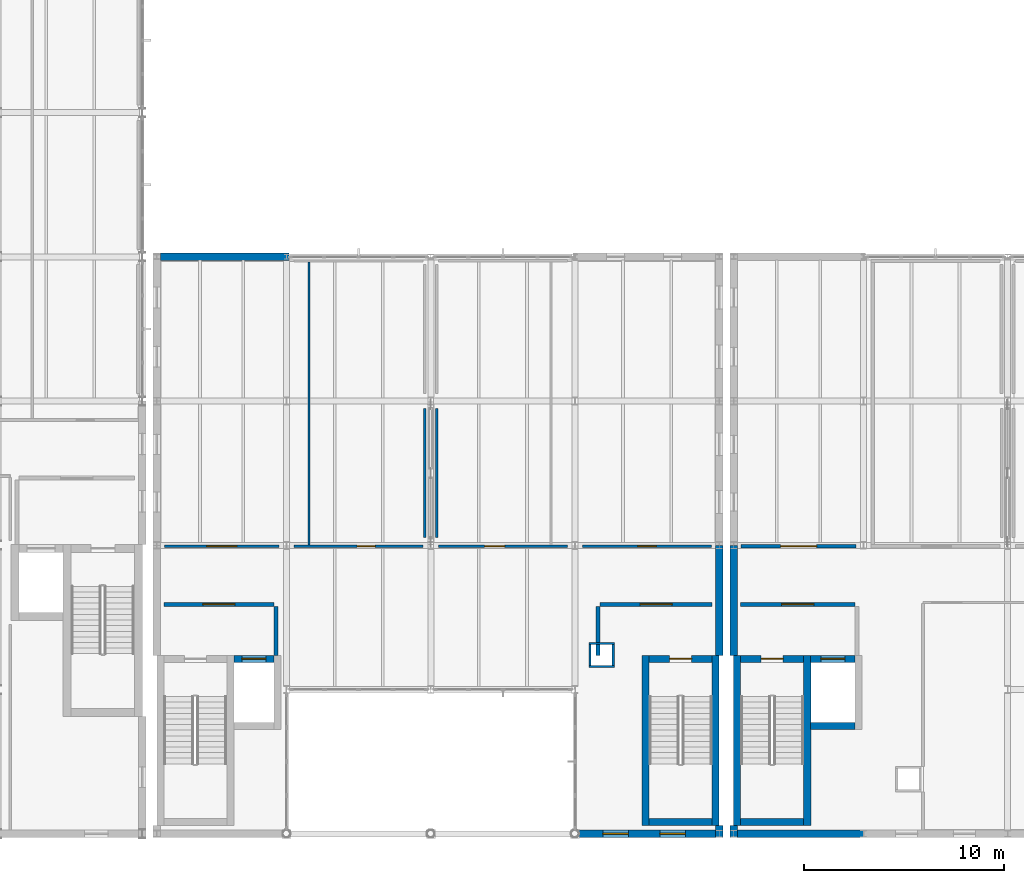
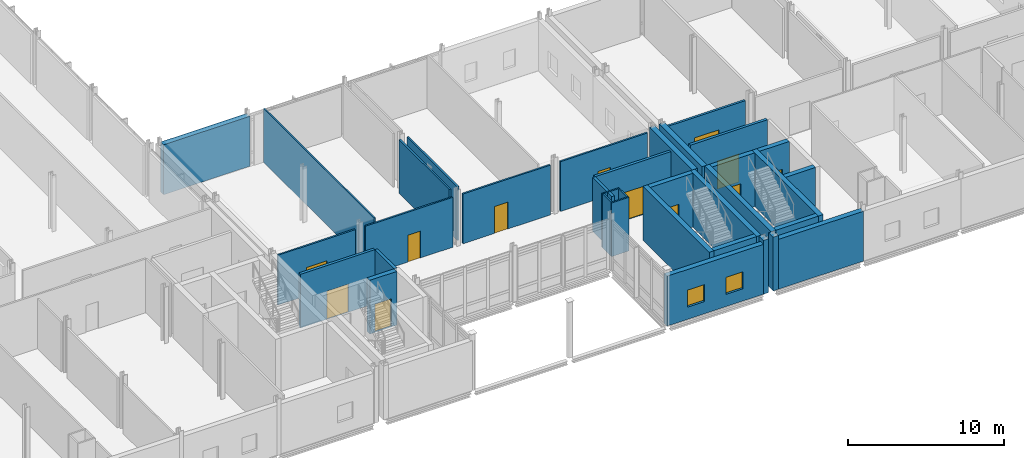
# One storey, part 53 of 72: 35 walls, 12 doors, 2 windows, 14 openings.
"""IFC4 building model written with IfcOpenShell, lengths in metres."""

from ifc_helpers import new_model, si_unit, direction, frame, frame_2d, origin, place, context, subcontext, project, spatial, rectangle, extrude, material, layer, layer_set, type_object, element, fill, save


model = new_model("IFC4")

# Units and contexts
model_context = context("Model", 3, precision=1e-05, world=origin(), true_north=direction((0.0, 1.0)))
body_context = subcontext(model_context, "Body", "Model", "MODEL_VIEW")
ifc_project = project(units=[si_unit("LENGTHUNIT", "METRE"), si_unit("AREAUNIT", "SQUARE_METRE"), si_unit("VOLUMEUNIT", "CUBIC_METRE"), si_unit("PLANEANGLEUNIT", "RADIAN"), si_unit("MASSUNIT", "GRAM", prefix="KILO")], contexts=[model_context])

# Site, building, storey
site_placement = place(None, origin())
site = spatial("IfcSite", under=ifc_project, at=site_placement, CompositionType="ELEMENT")
building_placement = place(site_placement, origin())
building = spatial("IfcBuilding", under=site, at=building_placement, Name="Zarrinpeak Specialist Clinic", CompositionType="ELEMENT")
storey_placement = place(building_placement, frame((0.0, 0.0, 9.60009765625)))
storey = spatial("IfcBuildingStorey", under=building, at=storey_placement, Name="L02", CompositionType="ELEMENT", Elevation=9.60009765625)

# Wall, opening, door
ifc_material_1 = material(Name="Concrete C40/50", Category="concrete")
ifc_layer_1 = layer(ifc_material_1, 0.35009765625)
ifc_layer_set_1 = layer_set([ifc_layer_1], Name="Concrete C40/50")
wall_type_1 = type_object("IfcWallType", Name="WL-CR350", PredefinedType="SHEAR", material=ifc_layer_set_1)
wall_1_placement = place(storey_placement, frame((33.3701171875, 8.72509765625, 0.0), z_axis=(0.0, 0.0, 1.0), x_axis=(1.0, 0.0, 0.0)))
wall_1 = element("IfcWall", 1, at=wall_1_placement, inside=storey, type_object=wall_type_1, Name="L02 Lift LF-P2 Shaft Wall LFN", PredefinedType="SHEAR", context=body_context, shape_type="SweptSolid", body=[
    extrude(rectangle(XDim=2.0, YDim=0.35009765625, at=frame_2d((1.0, 0.0))), origin(), (0.0, 0.0, 1.0), 4.199951171875),
])
opening_1_placement = place(wall_1_placement, frame((0.39990234375, 0.0, 0.0)))
opening_1 = element("IfcOpeningElement", 2, at=opening_1_placement, cuts=wall_1, Name="Opening LD-02", PredefinedType="OPENING", context=body_context, shape_type="SweptSolid", body=[
    extrude(rectangle(XDim=1.199951171875, YDim=2.199951171875, at=frame_2d((0.60009765625, 1.10009765625))), frame((0.0, 0.18505859375, 0.0), z_axis=(0.0, -1.0, 0.0), x_axis=(1.0, 0.0, 0.0)), (0.0, 0.0, 1.0), 0.3701171875),
])
ifc_material_2 = material(Name="Powder-Coated Galvanised Steel", Category="steel")
door_type_1 = type_object("IfcDoorType", Name="DR-LD120", OperationType="SLIDING_TO_RIGHT", PredefinedType="DOOR", material=ifc_material_2)
door_1_placement = place(opening_1_placement, origin())
door_1 = element("IfcDoor", 3, at=door_1_placement, inside=storey, type_object=door_type_1, Name="L02 Lift LF-P2 Sliding Landing Door", OperationType="SLIDING_TO_RIGHT", OverallHeight=2.199951171875, OverallWidth=1.199951171875, PredefinedType="DOOR", context=body_context, shape_type="SweptSolid", body=[
    extrude(rectangle(XDim=1.199951171875, YDim=2.199951171875, at=frame_2d((0.60009765625, 1.10009765625))), frame((0.0, 0.02490234375, 0.0), z_axis=(0.0, -1.0, 0.0), x_axis=(1.0, 0.0, 0.0)), (0.0, 0.0, 1.0), 0.050048828125),
])
fill(opening_1, door_1)

# Wall
wall_2_placement = place(storey_placement, frame((54.10009765625, 0.574951171875, 0.0), z_axis=(0.0, 0.0, 1.0), x_axis=(1.0, 0.0, 0.0)))
element("IfcWall", 4, at=wall_2_placement, inside=storey, type_object=wall_type_1, Name="L02 Core C04 Shear Wall STS", PredefinedType="SHEAR", context=body_context, shape_type="SweptSolid", body=[
    extrude(rectangle(XDim=3.14990234375, YDim=0.35009765625, at=frame_2d((1.574951171875, 0.0))), origin(), (0.0, 0.0, 1.0), 4.199951171875),
])

# Wall, opening, door
wall_3_placement = place(storey_placement, frame((54.10009765625, 8.72509765625, 0.0), z_axis=(0.0, 0.0, 1.0), x_axis=(1.0, 0.0, 0.0)))
wall_3 = element("IfcWall", 5, at=wall_3_placement, inside=storey, type_object=wall_type_1, Name="L02 Core C04 Shear Wall STN", PredefinedType="SHEAR", context=body_context, shape_type="SweptSolid", body=[
    extrude(rectangle(XDim=3.14990234375, YDim=0.35009765625, at=frame_2d((1.574951171875, 0.0))), origin(), (0.0, 0.0, 1.0), 4.199951171875),
])
opening_2_placement = place(wall_3_placement, frame((1.02490234375, 0.0, 0.0)))
opening_2 = element("IfcOpeningElement", 6, at=opening_2_placement, cuts=wall_3, Name="Opening D-S02", PredefinedType="OPENING", context=body_context, shape_type="SweptSolid", body=[
    extrude(rectangle(XDim=1.10009765625, YDim=2.14990234375, at=frame_2d((0.550048828125, 1.074951171875))), frame((0.0, 0.18505859375, 0.0), z_axis=(0.0, -1.0, 0.0), x_axis=(1.0, 0.0, 0.0)), (0.0, 0.0, 1.0), 0.3701171875),
])
door_type_2 = type_object("IfcDoorType", Name="DR-FD110", OperationType="SINGLE_SWING_RIGHT", PredefinedType="DOOR", material=ifc_material_2)
door_2_placement = place(opening_2_placement, frame((1.10009765625, 0.0, 0.0), z_axis=(0.0, 0.0, 1.0), x_axis=(-1.0, 0.0, 0.0)))
door_2 = element("IfcDoor", 7, at=door_2_placement, inside=storey, type_object=door_type_2, Name="L02 Protected Stair ST-04 Fire Door", OperationType="SINGLE_SWING_RIGHT", OverallHeight=2.14990234375, OverallWidth=1.10009765625, PredefinedType="DOOR", context=body_context, shape_type="SweptSolid", body=[
    extrude(rectangle(XDim=1.10009765625, YDim=2.14990234375, at=frame_2d((0.550048828125, 1.074951171875))), frame((0.0, 0.02490234375, 0.0), z_axis=(0.0, -1.0, 0.0), x_axis=(1.0, 0.0, 0.0)), (0.0, 0.0, 1.0), 0.050048828125),
])
fill(opening_2, door_2)

# Walls
for number, where, z_axis, x_axis, name in (
    (8, (53.925048828125, 0.39990234375, 0.0), (0.0, 0.0, 1.0), (0.0, 1.0, 0.0), "L02 Core C04 Shear Wall STW"),
    (9, (57.425048828125, 0.39990234375, 0.0), (0.0, 0.0, 1.0), (0.0, 1.0, 0.0), "L02 Core C04 Shear Wall STE"),
):
    element("IfcWall", number, at=place(storey_placement, frame(where, z_axis=z_axis, x_axis=x_axis)), inside=storey, type_object=wall_type_1, Name=name, PredefinedType="SHEAR", context=body_context, shape_type="SweptSolid", body=[
        extrude(rectangle(XDim=8.5, YDim=0.35009765625, at=frame_2d((4.25, 0.0))), origin(), (0.0, 0.0, 1.0), 4.199951171875),
    ])
wall_4_placement = place(storey_placement, frame((58.669921875, 0.574951171875, 0.0), z_axis=(0.0, 0.0, 1.0), x_axis=(1.0, 0.0, 0.0)))
element("IfcWall", 10, at=wall_4_placement, inside=storey, type_object=wall_type_1, Name="L02 Core C07 Shear Wall STS", PredefinedType="SHEAR", context=body_context, shape_type="SweptSolid", body=[
    extrude(rectangle(XDim=3.150146484375, YDim=0.35009765625, at=frame_2d((1.5751953125, 0.0))), origin(), (0.0, 0.0, 1.0), 4.199951171875),
])

# Wall, opening, door
wall_5_placement = place(storey_placement, frame((58.669921875, 8.72509765625, 0.0), z_axis=(0.0, 0.0, 1.0), x_axis=(1.0, 0.0, 0.0)))
wall_5 = element("IfcWall", 11, at=wall_5_placement, inside=storey, type_object=wall_type_1, Name="L02 Core C07 Shear Wall STN", PredefinedType="SHEAR", context=body_context, shape_type="SweptSolid", body=[
    extrude(rectangle(XDim=3.150146484375, YDim=0.35009765625, at=frame_2d((1.5751953125, 0.0))), origin(), (0.0, 0.0, 1.0), 4.199951171875),
])
opening_3_placement = place(wall_5_placement, frame((1.02490234375, 0.0, 0.0)))
opening_3 = element("IfcOpeningElement", 12, at=opening_3_placement, cuts=wall_5, Name="Opening D-S02", PredefinedType="OPENING", context=body_context, shape_type="SweptSolid", body=[
    extrude(rectangle(XDim=1.10009765625, YDim=2.14990234375, at=frame_2d((0.550048828125, 1.074951171875))), frame((0.0, 0.18505859375, 0.0), z_axis=(0.0, -1.0, 0.0), x_axis=(1.0, 0.0, 0.0)), (0.0, 0.0, 1.0), 0.3701171875),
])
door_3_placement = place(opening_3_placement, frame((1.10009765625, 0.0, 0.0), z_axis=(0.0, 0.0, 1.0), x_axis=(-1.0, 0.0, 0.0)))
door_3 = element("IfcDoor", 13, at=door_3_placement, inside=storey, type_object=door_type_2, Name="L02 Protected Stair ST-07 Fire Door", OperationType="SINGLE_SWING_RIGHT", OverallHeight=2.14990234375, OverallWidth=1.10009765625, PredefinedType="DOOR", context=body_context, shape_type="SweptSolid", body=[
    extrude(rectangle(XDim=1.10009765625, YDim=2.14990234375, at=frame_2d((0.550048828125, 1.074951171875))), frame((0.0, 0.02490234375, 0.0), z_axis=(0.0, -1.0, 0.0), x_axis=(1.0, 0.0, 0.0)), (0.0, 0.0, 1.0), 0.050048828125),
])
fill(opening_3, door_3)

# Walls
for number, where, z_axis, x_axis, name in (
    (14, (58.4951171875, 0.39990234375, 0.0), (0.0, 0.0, 1.0), (0.0, 1.0, 0.0), "L02 Core C07 Shear Wall STW"),
    (15, (61.9951171875, 0.39990234375, 0.0), (0.0, 0.0, 1.0), (0.0, 1.0, 0.0), "L02 Core C07 Shear Wall STE"),
):
    element("IfcWall", number, at=place(storey_placement, frame(where, z_axis=z_axis, x_axis=x_axis)), inside=storey, type_object=wall_type_1, Name=name, PredefinedType="SHEAR", context=body_context, shape_type="SweptSolid", body=[
        extrude(rectangle(XDim=8.5, YDim=0.35009765625, at=frame_2d((4.25, 0.0))), origin(), (0.0, 0.0, 1.0), 4.199951171875),
    ])
wall_6_placement = place(storey_placement, frame((62.169921875, 5.375, 0.0), z_axis=(0.0, 0.0, 1.0), x_axis=(1.0, 0.0, 0.0)))
element("IfcWall", 16, at=wall_6_placement, inside=storey, type_object=wall_type_1, Name="L02 Lift LF-P4 Shaft Wall LFS", PredefinedType="SHEAR", context=body_context, shape_type="SweptSolid", body=[
    extrude(rectangle(XDim=2.2001953125, YDim=0.35009765625, at=frame_2d((1.10009765625, 0.0))), origin(), (0.0, 0.0, 1.0), 4.199951171875),
])

# Wall, opening, door
wall_7_placement = place(storey_placement, frame((62.169921875, 8.72509765625, 0.0), z_axis=(0.0, 0.0, 1.0), x_axis=(1.0, 0.0, 0.0)))
wall_7 = element("IfcWall", 17, at=wall_7_placement, inside=storey, type_object=wall_type_1, Name="L02 Lift LF-P4 Shaft Wall LFN", PredefinedType="SHEAR", context=body_context, shape_type="SweptSolid", body=[
    extrude(rectangle(XDim=2.2001953125, YDim=0.35009765625, at=frame_2d((1.10009765625, 0.0))), origin(), (0.0, 0.0, 1.0), 4.199951171875),
])
opening_4_placement = place(wall_7_placement, frame((0.5, 0.0, 0.0)))
opening_4 = element("IfcOpeningElement", 18, at=opening_4_placement, cuts=wall_7, Name="Opening LD-02", PredefinedType="OPENING", context=body_context, shape_type="SweptSolid", body=[
    extrude(rectangle(XDim=1.199951171875, YDim=2.199951171875, at=frame_2d((0.60009765625, 1.10009765625))), frame((0.0, 0.18505859375, 0.0), z_axis=(0.0, -1.0, 0.0), x_axis=(1.0, 0.0, 0.0)), (0.0, 0.0, 1.0), 0.3701171875),
])
door_4_placement = place(opening_4_placement, origin())
door_4 = element("IfcDoor", 19, at=door_4_placement, inside=storey, type_object=door_type_1, Name="L02 Lift LF-P4 Sliding Landing Door", OperationType="SLIDING_TO_RIGHT", OverallHeight=2.199951171875, OverallWidth=1.199951171875, PredefinedType="DOOR", context=body_context, shape_type="SweptSolid", body=[
    extrude(rectangle(XDim=1.199951171875, YDim=2.199951171875, at=frame_2d((0.60009765625, 1.10009765625))), frame((0.0, 0.02490234375, 0.0), z_axis=(0.0, -1.0, 0.0), x_axis=(1.0, 0.0, 0.0)), (0.0, 0.0, 1.0), 0.050048828125),
])
fill(opening_4, door_4)

# Wall, openings, windows
ifc_material_3 = material(Name="Precast concrete C40/50", Category="concrete")
ifc_layer_2 = layer(ifc_material_3, 0.3798828125)
ifc_layer_set_2 = layer_set([ifc_layer_2], Name="Precast concrete C40/50")
wall_type_2 = type_object("IfcWallType", Name="WL-EW380", PredefinedType="STANDARD", material=ifc_layer_set_2)
wall_8_placement = place(storey_placement, frame((50.2900390625, 0.0, 0.0), z_axis=(0.0, 0.0, 1.0), x_axis=(1.0, 0.0, 0.0)))
wall_8 = element("IfcWall", 20, at=wall_8_placement, inside=storey, type_object=wall_type_2, Name="L02 V2 Exterior GRC Wall EW-L02-V2-0122", PredefinedType="STANDARD", context=body_context, shape_type="SweptSolid", body=[
    extrude(rectangle(XDim=7.119873046875, YDim=0.3798828125, at=frame_2d((3.56005859375, 0.0))), origin(), (0.0, 0.0, 1.0), 3.89501953125),
])
opening_5_placement = place(wall_8_placement, frame((1.501953125, 0.0, 0.949951171875)))
opening_5 = element("IfcOpeningElement", 21, at=opening_5_placement, cuts=wall_8, Name="Opening WS-39", PredefinedType="OPENING", context=body_context, shape_type="SweptSolid", body=[
    extrude(rectangle(XDim=1.26806640625, YDim=1.33203125, at=frame_2d((0.634033203125, 0.666015625))), frame((0.0, 0.199951171875, 0.0), z_axis=(0.0, -1.0, 0.0), x_axis=(1.0, 0.0, 0.0)), (0.0, 0.0, 1.0), 0.39990234375),
])
opening_6_placement = place(wall_8_placement, frame((4.35009765625, 0.0, 0.949951171875)))
opening_6 = element("IfcOpeningElement", 22, at=opening_6_placement, cuts=wall_8, Name="Opening WS-39", PredefinedType="OPENING", context=body_context, shape_type="SweptSolid", body=[
    extrude(rectangle(XDim=1.26806640625, YDim=1.33203125, at=frame_2d((0.634033203125, 0.666015625))), frame((0.0, 0.199951171875, 0.0), z_axis=(0.0, -1.0, 0.0), x_axis=(1.0, 0.0, 0.0)), (0.0, 0.0, 1.0), 0.39990234375),
])
ifc_material_4 = material(Name="Thermally Broken Aluminium and Low-E Glazing", Category="aluminium")
window_type = type_object("IfcWindowType", Name="WN-SP39", PartitioningType="SINGLE_PANEL", PredefinedType="WINDOW", material=ifc_material_4)
window_1_placement = place(opening_5_placement, origin())
window_1 = element("IfcWindow", 23, at=window_1_placement, inside=storey, type_object=window_type, Name="L02 Modular Facade Window WN-L02-0158", OverallHeight=1.33203125, OverallWidth=1.26806640625, PartitioningType="SINGLE_PANEL", PredefinedType="WINDOW", context=body_context, shape_type="SweptSolid", body=[
    extrude(rectangle(XDim=1.26806640625, YDim=1.33203125, at=frame_2d((0.634033203125, 0.666015625))), frame((0.0, 0.030029296875, 0.0), z_axis=(0.0, -1.0, 0.0), x_axis=(1.0, 0.0, 0.0)), (0.0, 0.0, 1.0), 0.06005859375),
])
fill(opening_5, window_1)
window_2_placement = place(opening_6_placement, origin())
window_2 = element("IfcWindow", 24, at=window_2_placement, inside=storey, type_object=window_type, Name="L02 Modular Facade Window WN-L02-0159", OverallHeight=1.33203125, OverallWidth=1.26806640625, PartitioningType="SINGLE_PANEL", PredefinedType="WINDOW", context=body_context, shape_type="SweptSolid", body=[
    extrude(rectangle(XDim=1.26806640625, YDim=1.33203125, at=frame_2d((0.634033203125, 0.666015625))), frame((0.0, 0.030029296875, 0.0), z_axis=(0.0, -1.0, 0.0), x_axis=(1.0, 0.0, 0.0)), (0.0, 0.0, 1.0), 0.06005859375),
])
fill(opening_6, window_2)

# Walls
wall_9_placement = place(storey_placement, frame((36.110107421875, 28.800048828125, 0.0), z_axis=(0.0, 0.0, 1.0), x_axis=(-1.0, 0.0, 0.0)))
element("IfcWall", 25, at=wall_9_placement, inside=storey, type_object=wall_type_2, Name="L02 V2 Exterior GRC Wall EW-L02-V2-0123", PredefinedType="STANDARD", context=body_context, shape_type="SweptSolid", body=[
    extrude(rectangle(XDim=6.400146484375, YDim=0.3798828125, at=frame_2d((3.2001953125, 0.0))), origin(), (0.0, 0.0, 1.0), 3.89990234375),
])
wall_10_placement = place(storey_placement, frame((57.60009765625, -0.18994140625, 0.0), z_axis=(0.0, 0.0, 1.0), x_axis=(0.0, 1.0, 0.0)))
element("IfcWall", 26, at=wall_10_placement, inside=storey, type_object=wall_type_2, Name="L02 V2 Exterior GRC Wall EW-L02-V2-0129", PredefinedType="STANDARD", context=body_context, shape_type="SweptSolid", body=[
    extrude(rectangle(XDim=0.58984375, YDim=0.3798828125, at=frame_2d((0.294921875, 0.0))), origin(), (0.0, 0.0, 1.0), 4.199951171875),
])
wall_11_placement = place(storey_placement, frame((57.60009765625, 8.89990234375, 0.0), z_axis=(0.0, 0.0, 1.0), x_axis=(0.0, 1.0, 0.0)))
element("IfcWall", 27, at=wall_11_placement, inside=storey, type_object=wall_type_2, Name="L02 V2 Exterior GRC Wall EW-L02-V2-0130", PredefinedType="STANDARD", context=body_context, shape_type="SweptSolid", body=[
    extrude(rectangle(XDim=5.5, YDim=0.3798828125, at=frame_2d((2.75, 0.0))), origin(), (0.0, 0.0, 1.0), 4.199951171875),
])
wall_12_placement = place(storey_placement, frame((58.510009765625, 0.0, 0.0), z_axis=(0.0, 0.0, 1.0), x_axis=(1.0, 0.0, 0.0)))
element("IfcWall", 28, at=wall_12_placement, inside=storey, type_object=wall_type_2, Name="L02 V4 Exterior GRC Wall EW-L02-V4-0177", PredefinedType="STANDARD", context=body_context, shape_type="SweptSolid", body=[
    extrude(rectangle(XDim=6.2900390625, YDim=0.3798828125, at=frame_2d((3.14501953125, 0.0))), origin(), (0.0, 0.0, 1.0), 3.89501953125),
])
wall_13_placement = place(storey_placement, frame((58.320068359375, 0.39990234375, 0.0), z_axis=(0.0, 0.0, 1.0), x_axis=(0.0, -1.0, 0.0)))
element("IfcWall", 29, at=wall_13_placement, inside=storey, type_object=wall_type_2, Name="L02 V4 Exterior GRC Wall EW-L02-V4-0183", PredefinedType="STANDARD", context=body_context, shape_type="SweptSolid", body=[
    extrude(rectangle(XDim=0.58984375, YDim=0.3798828125, at=frame_2d((0.294921875, 0.0))), origin(), (0.0, 0.0, 1.0), 4.199951171875),
])
wall_14_placement = place(storey_placement, frame((58.320068359375, 14.39990234375, 0.0), z_axis=(0.0, 0.0, 1.0), x_axis=(0.0, -1.0, 0.0)))
element("IfcWall", 30, at=wall_14_placement, inside=storey, type_object=wall_type_2, Name="L02 V4 Exterior GRC Wall EW-L02-V4-0184", PredefinedType="STANDARD", context=body_context, shape_type="SweptSolid", body=[
    extrude(rectangle(XDim=5.5, YDim=0.3798828125, at=frame_2d((2.75, 0.0))), origin(), (0.0, 0.0, 1.0), 4.199951171875),
])
ifc_material_5 = material(Name="Sanitary Service Chase Plumbing Wall", Category="gypsum")
ifc_layer_3 = layer(ifc_material_5, 0.110107421875)
ifc_layer_set_3 = layer_set([ifc_layer_3], Name="Sanitary Service Chase Plumbing Wall")
wall_type_3 = type_object("IfcWallType", Name="WL-IW110", PredefinedType="PARTITIONING", material=ifc_layer_set_3)
for number, where, z_axis, x_axis, name in (
    (31, (51.090087890625, 8.344970703125, 0.0), (0.0, 0.0, 1.0), (1.0, 0.0, 0.0), "L02 V2 Enclosed MEP Service Riser Wall S"),
    (32, (51.090087890625, 9.5048828125, 0.0), (0.0, 0.0, 1.0), (1.0, 0.0, 0.0), "L02 V2 Enclosed MEP Service Riser Wall N"),
):
    element("IfcWall", number, at=place(storey_placement, frame(where, z_axis=z_axis, x_axis=x_axis)), inside=storey, type_object=wall_type_3, Name=name, PredefinedType="PARTITIONING", context=body_context, shape_type="SweptSolid", body=[
        extrude(rectangle(XDim=1.27001953125, YDim=0.110107421875, at=frame_2d((0.635009765625, 0.0))), origin(), (0.0, 0.0, 1.0), 4.199951171875),
    ])
for number, where, z_axis, x_axis, name in (
    (33, (51.14501953125, 8.39990234375, 0.0), (0.0, 0.0, 1.0), (0.0, 1.0, 0.0), "L02 V2 Enclosed MEP Service Riser Wall W"),
    (34, (52.304931640625, 8.39990234375, 0.0), (0.0, 0.0, 1.0), (0.0, 1.0, 0.0), "L02 V2 Enclosed MEP Service Riser Wall E"),
):
    element("IfcWall", number, at=place(storey_placement, frame(where, z_axis=z_axis, x_axis=x_axis)), inside=storey, type_object=wall_type_3, Name=name, PredefinedType="PARTITIONING", context=body_context, shape_type="SweptSolid", body=[
        extrude(rectangle(XDim=1.050048828125, YDim=0.110107421875, at=frame_2d((0.52490234375, 0.0))), origin(), (0.0, 0.0, 1.0), 4.199951171875),
    ])
wall_15_placement = place(storey_placement, frame((37.1201171875, 14.41259765625, 0.0), z_axis=(0.0, 0.0, 1.0), x_axis=(0.0, 1.0, 0.0)))
element("IfcWall", 35, at=wall_15_placement, inside=storey, type_object=wall_type_3, Name="L02 Women Lounge Washroom Dividing Partition", PredefinedType="PARTITIONING", context=body_context, shape_type="SweptSolid", body=[
    extrude(rectangle(XDim=14.13232421875, YDim=0.110107421875, at=frame_2d((7.066162109375, 0.0))), origin(), (0.0, 0.0, 1.0), 4.199951171875),
])

# Wall, opening, door
ifc_material_6 = material(Name="Moisture-Resistant Wet-Room Partition", Category="gypsum")
ifc_layer_4 = layer(ifc_material_6, 0.125)
ifc_layer_set_4 = layer_set([ifc_layer_4], Name="Moisture-Resistant Wet-Room Partition")
wall_type_4 = type_object("IfcWallType", Name="WL-IW125W", PredefinedType="PARTITIONING", material=ifc_layer_set_4)
wall_16_placement = place(storey_placement, frame((29.89990234375, 14.35009765625, 0.0), z_axis=(0.0, 0.0, 1.0), x_axis=(1.0, 0.0, 0.0)))
wall_16 = element("IfcWall", 36, at=wall_16_placement, inside=storey, type_object=wall_type_4, Name="L02 Women Lounge Washroom Partition", PredefinedType="PARTITIONING", context=body_context, shape_type="SweptSolid", body=[
    extrude(rectangle(XDim=5.72021484375, YDim=0.125, at=frame_2d((2.860107421875, 0.0))), origin(), (0.0, 0.0, 1.0), 3.89501953125),
])
opening_7_placement = place(wall_16_placement, frame((2.110107421875, 0.0, 0.0)))
opening_7 = element("IfcOpeningElement", 37, at=opening_7_placement, cuts=wall_16, Name="Opening D-B01", PredefinedType="OPENING", context=body_context, shape_type="SweptSolid", body=[
    extrude(rectangle(XDim=1.5, YDim=2.199951171875, at=frame_2d((0.75, 1.10009765625))), frame((0.0, 0.072509765625, 0.0), z_axis=(0.0, -1.0, 0.0), x_axis=(1.0, 0.0, 0.0)), (0.0, 0.0, 1.0), 0.14501953125),
])
door_type_3 = type_object("IfcDoorType", Name="DR-BED150", OperationType="DOUBLE_DOOR_SINGLE_SWING", PredefinedType="DOOR", material=ifc_material_2)
door_5_placement = place(opening_7_placement, frame((1.5, 0.0, 0.0), z_axis=(0.0, 0.0, 1.0), x_axis=(-1.0, 0.0, 0.0)))
door_5 = element("IfcDoor", 38, at=door_5_placement, inside=storey, type_object=door_type_3, Name="L02 Maternal Fetal Ultrasound Suite Door", OperationType="DOUBLE_DOOR_SINGLE_SWING", OverallHeight=2.199951171875, OverallWidth=1.5, PredefinedType="DOOR", context=body_context, shape_type="SweptSolid", body=[
    extrude(rectangle(XDim=1.5, YDim=2.199951171875, at=frame_2d((0.75, 1.10009765625))), frame((0.0, 0.02490234375, 0.0), z_axis=(0.0, -1.0, 0.0), x_axis=(1.0, 0.0, 0.0)), (0.0, 0.0, 1.0), 0.050048828125),
])
fill(opening_7, door_5)

wall_17_placement = place(storey_placement, frame((36.3798828125, 14.35009765625, 0.0), z_axis=(0.0, 0.0, 1.0), x_axis=(1.0, 0.0, 0.0)))
wall_17 = element("IfcWall", 39, at=wall_17_placement, inside=storey, type_object=wall_type_4, Name="L02 Women Lounge Washroom Partition", PredefinedType="PARTITIONING", context=body_context, shape_type="SweptSolid", body=[
    extrude(rectangle(XDim=6.440185546875, YDim=0.125, at=frame_2d((3.22021484375, 0.0))), origin(), (0.0, 0.0, 1.0), 3.89501953125),
])
opening_8_placement = place(wall_17_placement, frame((3.139892578125, 0.0, 0.0)))
opening_8 = element("IfcOpeningElement", 40, at=opening_8_placement, cuts=wall_17, Name="Opening D-W01", PredefinedType="OPENING", context=body_context, shape_type="SweptSolid", body=[
    extrude(rectangle(XDim=0.89990234375, YDim=2.10009765625, at=frame_2d((0.449951171875, 1.050048828125))), frame((0.0, 0.072509765625, 0.0), z_axis=(0.0, -1.0, 0.0), x_axis=(1.0, 0.0, 0.0)), (0.0, 0.0, 1.0), 0.14501953125),
])
door_type_4 = type_object("IfcDoorType", Name="DR-WC90", OperationType="SINGLE_SWING_RIGHT", PredefinedType="DOOR", material=ifc_material_2)
door_6_placement = place(opening_8_placement, frame((0.89990234375, 0.0, 0.0), z_axis=(0.0, 0.0, 1.0), x_axis=(-1.0, 0.0, 0.0)))
door_6 = element("IfcDoor", 41, at=door_6_placement, inside=storey, type_object=door_type_4, Name="L02 Women Lounge Washroom Door", OperationType="SINGLE_SWING_RIGHT", OverallHeight=2.10009765625, OverallWidth=0.89990234375, PredefinedType="DOOR", context=body_context, shape_type="SweptSolid", body=[
    extrude(rectangle(XDim=0.89990234375, YDim=2.10009765625, at=frame_2d((0.449951171875, 1.050048828125))), frame((0.0, 0.02490234375, 0.0), z_axis=(0.0, -1.0, 0.0), x_axis=(1.0, 0.0, 0.0)), (0.0, 0.0, 1.0), 0.050048828125),
])
fill(opening_8, door_6)

wall_18_placement = place(storey_placement, frame((43.580078125, 14.35009765625, 0.0), z_axis=(0.0, 0.0, 1.0), x_axis=(1.0, 0.0, 0.0)))
wall_18 = element("IfcWall", 42, at=wall_18_placement, inside=storey, type_object=wall_type_4, Name="L02 Accessible Patient WC Partition", PredefinedType="PARTITIONING", context=body_context, shape_type="SweptSolid", body=[
    extrude(rectangle(XDim=6.43994140625, YDim=0.125, at=frame_2d((3.219970703125, 0.0))), origin(), (0.0, 0.0, 1.0), 3.89501953125),
])
opening_9_placement = place(wall_18_placement, frame((2.31005859375, 0.0, 0.0)))
opening_9 = element("IfcOpeningElement", 43, at=opening_9_placement, cuts=wall_18, Name="Opening D-W02", PredefinedType="OPENING", context=body_context, shape_type="SweptSolid", body=[
    extrude(rectangle(XDim=1.0, YDim=2.10009765625, at=frame_2d((0.5, 1.050048828125))), frame((0.0, 0.072509765625, 0.0), z_axis=(0.0, -1.0, 0.0), x_axis=(1.0, 0.0, 0.0)), (0.0, 0.0, 1.0), 0.14501953125),
])
door_type_5 = type_object("IfcDoorType", Name="DR-AWC100", OperationType="SLIDING_TO_LEFT", PredefinedType="DOOR", material=ifc_material_2)
door_7_placement = place(opening_9_placement, frame((1.0, 0.0, 0.0), z_axis=(0.0, 0.0, 1.0), x_axis=(-1.0, 0.0, 0.0)))
door_7 = element("IfcDoor", 44, at=door_7_placement, inside=storey, type_object=door_type_5, Name="L02 Accessible Patient WC Door", OperationType="SLIDING_TO_LEFT", OverallHeight=2.10009765625, OverallWidth=1.0, PredefinedType="DOOR", context=body_context, shape_type="SweptSolid", body=[
    extrude(rectangle(XDim=1.0, YDim=2.10009765625, at=frame_2d((0.5, 1.050048828125))), frame((0.0, 0.02490234375, 0.0), z_axis=(0.0, -1.0, 0.0), x_axis=(1.0, 0.0, 0.0)), (0.0, 0.0, 1.0), 0.050048828125),
])
fill(opening_9, door_7)

wall_19_placement = place(storey_placement, frame((50.780029296875, 14.35009765625, 0.0), z_axis=(0.0, 0.0, 1.0), x_axis=(1.0, 0.0, 0.0)))
wall_19 = element("IfcWall", 45, at=wall_19_placement, inside=storey, type_object=wall_type_4, Name="L02 Accessible Patient WC Partition", PredefinedType="PARTITIONING", context=body_context, shape_type="SweptSolid", body=[
    extrude(rectangle(XDim=6.43994140625, YDim=0.125, at=frame_2d((3.219970703125, 0.0))), origin(), (0.0, 0.0, 1.0), 3.89501953125),
])
opening_10_placement = place(wall_19_placement, frame((2.75390625, 0.0, 0.0)))
opening_10 = element("IfcOpeningElement", 46, at=opening_10_placement, cuts=wall_19, Name="Opening DS-55", PredefinedType="OPENING", context=body_context, shape_type="SweptSolid", body=[
    extrude(rectangle(XDim=0.931884765625, YDim=2.152099609375, at=frame_2d((0.4658203125, 1.076171875))), frame((0.0, 0.072509765625, 0.0), z_axis=(0.0, -1.0, 0.0), x_axis=(1.0, 0.0, 0.0)), (0.0, 0.0, 1.0), 0.14501953125),
])
door_type_6 = type_object("IfcDoorType", Name="DR-SP55", OperationType="SINGLE_SWING_RIGHT", PredefinedType="DOOR", material=ifc_material_2)
door_8_placement = place(opening_10_placement, frame((0.931884765625, 0.0, 0.0), z_axis=(0.0, 0.0, 1.0), x_axis=(-1.0, 0.0, 0.0)))
door_8 = element("IfcDoor", 47, at=door_8_placement, inside=storey, type_object=door_type_6, Name="L02 Women Health Consultation Room Door", OperationType="SINGLE_SWING_RIGHT", OverallHeight=2.152099609375, OverallWidth=0.931884765625, PredefinedType="DOOR", context=body_context, shape_type="SweptSolid", body=[
    extrude(rectangle(XDim=0.931884765625, YDim=2.152099609375, at=frame_2d((0.4658203125, 1.076171875))), frame((0.0, 0.02490234375, 0.0), z_axis=(0.0, -1.0, 0.0), x_axis=(1.0, 0.0, 0.0)), (0.0, 0.0, 1.0), 0.050048828125),
])
fill(opening_10, door_8)

# Walls
for number, where, z_axis, x_axis, name in (
    (48, (42.89990234375, 14.780029296875, 0.0), (0.0, 0.0, 1.0), (0.0, 1.0, 0.0), "L02 Women Lounge Washroom Dividing Partition"),
    (49, (43.5, 14.780029296875, 0.0), (0.0, 0.0, 1.0), (0.0, 1.0, 0.0), "L02 Accessible Patient WC Dividing Partition"),
):
    element("IfcWall", number, at=place(storey_placement, frame(where, z_axis=z_axis, x_axis=x_axis)), inside=storey, type_object=wall_type_4, Name=name, PredefinedType="PARTITIONING", context=body_context, shape_type="SweptSolid", body=[
        extrude(rectangle(XDim=6.43994140625, YDim=0.125, at=frame_2d((3.219970703125, 0.0))), origin(), (0.0, 0.0, 1.0), 4.199951171875),
    ])

# Wall, opening, door
ifc_material_7 = material(Name="Acoustic Double Gypsum Stud Partition", Category="gypsum")
ifc_layer_5 = layer(ifc_material_7, 0.159912109375)
ifc_layer_set_5 = layer_set([ifc_layer_5], Name="Acoustic Double Gypsum Stud Partition")
wall_type_5 = type_object("IfcWallType", Name="WL-IW160", PredefinedType="PARTITIONING", material=ifc_layer_set_5)
wall_20_placement = place(storey_placement, frame((58.699951171875, 14.35009765625, 0.0), z_axis=(0.0, 0.0, 1.0), x_axis=(1.0, 0.0, 0.0)))
wall_20 = element("IfcWall", 50, at=wall_20_placement, inside=storey, type_object=wall_type_5, Name="L02 Post-Anaesthesia Recovery PACU Partition", PredefinedType="PARTITIONING", context=body_context, shape_type="SweptSolid", body=[
    extrude(rectangle(XDim=5.719970703125, YDim=0.159912109375, at=frame_2d((2.85986328125, 0.0))), origin(), (0.0, 0.0, 1.0), 3.89501953125),
])
opening_11_placement = place(wall_20_placement, frame((1.9599609375, 0.0, 0.0)))
opening_11 = element("IfcOpeningElement", 51, at=opening_11_placement, cuts=wall_20, Name="Opening D-P01", PredefinedType="OPENING", context=body_context, shape_type="SweptSolid", body=[
    extrude(rectangle(XDim=1.800048828125, YDim=2.300048828125, at=frame_2d((0.89990234375, 1.14990234375))), frame((0.0, 0.08984375, 0.0), z_axis=(0.0, -1.0, 0.0), x_axis=(1.0, 0.0, 0.0)), (0.0, 0.0, 1.0), 0.179931640625),
])
door_type_7 = type_object("IfcDoorType", Name="DR-PLT180", OperationType="DOUBLE_DOOR_SINGLE_SWING", PredefinedType="DOOR", material=ifc_material_2)
door_9_placement = place(opening_11_placement, frame((1.800048828125, 0.0, 0.0), z_axis=(0.0, 0.0, 1.0), x_axis=(-1.0, 0.0, 0.0)))
door_9 = element("IfcDoor", 52, at=door_9_placement, inside=storey, type_object=door_type_7, Name="L02 Sterile Pack Core Door", OperationType="DOUBLE_DOOR_SINGLE_SWING", OverallHeight=2.300048828125, OverallWidth=1.800048828125, PredefinedType="DOOR", context=body_context, shape_type="SweptSolid", body=[
    extrude(rectangle(XDim=1.800048828125, YDim=2.300048828125, at=frame_2d((0.89990234375, 1.14990234375))), frame((0.0, 0.02490234375, 0.0), z_axis=(0.0, -1.0, 0.0), x_axis=(1.0, 0.0, 0.0)), (0.0, 0.0, 1.0), 0.050048828125),
])
fill(opening_11, door_9)

ifc_material_8 = material(Name="Autoclaved Aerated Concrete Blockwork", Category="masonry")
ifc_layer_6 = layer(ifc_material_8, 0.199951171875)
ifc_layer_set_6 = layer_set([ifc_layer_6], Name="Autoclaved Aerated Concrete Blockwork")
wall_type_6 = type_object("IfcWallType", Name="WL-IW200", PredefinedType="PARTITIONING", material=ifc_layer_set_6)
wall_21_placement = place(storey_placement, frame((29.8701171875, 11.449951171875, 0.0), z_axis=(0.0, 0.0, 1.0), x_axis=(1.0, 0.0, 0.0)))
wall_21 = element("IfcWall", 53, at=wall_21_placement, inside=storey, type_object=wall_type_6, Name="L02 C03 Protected Lobby Partition LBF", PredefinedType="PARTITIONING", context=body_context, shape_type="SweptSolid", body=[
    extrude(rectangle(XDim=5.5, YDim=0.199951171875, at=frame_2d((2.75, 0.0))), origin(), (0.0, 0.0, 1.0), 4.199951171875),
])
opening_12_placement = place(wall_21_placement, frame((1.949951171875, 0.0, 0.0)))
opening_12 = element("IfcOpeningElement", 54, at=opening_12_placement, cuts=wall_21, Name="Opening D-L01", PredefinedType="OPENING", context=body_context, shape_type="SweptSolid", body=[
    extrude(rectangle(XDim=1.60009765625, YDim=2.199951171875, at=frame_2d((0.800048828125, 1.10009765625))), frame((0.0, 0.10986328125, 0.0), z_axis=(0.0, -1.0, 0.0), x_axis=(1.0, 0.0, 0.0)), (0.0, 0.0, 1.0), 0.219970703125),
])
door_type_8 = type_object("IfcDoorType", Name="DR-LB160", OperationType="DOUBLE_DOOR_SINGLE_SWING", PredefinedType="DOOR", material=ifc_material_2)
door_10_placement = place(opening_12_placement, origin())
door_10 = element("IfcDoor", 55, at=door_10_placement, inside=storey, type_object=door_type_8, Name="L02 C03 Lobby Hold-Open Fire Door", OperationType="DOUBLE_DOOR_SINGLE_SWING", OverallHeight=2.199951171875, OverallWidth=1.60009765625, PredefinedType="DOOR", context=body_context, shape_type="SweptSolid", body=[
    extrude(rectangle(XDim=1.60009765625, YDim=2.199951171875, at=frame_2d((0.800048828125, 1.10009765625))), frame((0.0, 0.02490234375, 0.0), z_axis=(0.0, -1.0, 0.0), x_axis=(1.0, 0.0, 0.0)), (0.0, 0.0, 1.0), 0.050048828125),
])
fill(opening_12, door_10)

# Wall
wall_22_placement = place(storey_placement, frame((35.469970703125, 8.89990234375, 0.0), z_axis=(0.0, 0.0, 1.0), x_axis=(0.0, 1.0, 0.0)))
element("IfcWall", 56, at=wall_22_placement, inside=storey, type_object=wall_type_6, Name="L02 C03 Protected Lobby Partition LBE", PredefinedType="PARTITIONING", context=body_context, shape_type="SweptSolid", body=[
    extrude(rectangle(XDim=2.4501953125, YDim=0.199951171875, at=frame_2d((1.22509765625, 0.0))), origin(), (0.0, 0.0, 1.0), 4.199951171875),
])

# Wall, opening, door
wall_23_placement = place(storey_placement, frame((51.64990234375, 11.449951171875, 0.0), z_axis=(0.0, 0.0, 1.0), x_axis=(1.0, 0.0, 0.0)))
wall_23 = element("IfcWall", 57, at=wall_23_placement, inside=storey, type_object=wall_type_6, Name="L02 C04 Protected Lobby Partition LBF", PredefinedType="PARTITIONING", context=body_context, shape_type="SweptSolid", body=[
    extrude(rectangle(XDim=5.60009765625, YDim=0.199951171875, at=frame_2d((2.800048828125, 0.0))), origin(), (0.0, 0.0, 1.0), 4.199951171875),
])
opening_13_placement = place(wall_23_placement, frame((2.0, 0.0, 0.0)))
opening_13 = element("IfcOpeningElement", 58, at=opening_13_placement, cuts=wall_23, Name="Opening D-L01", PredefinedType="OPENING", context=body_context, shape_type="SweptSolid", body=[
    extrude(rectangle(XDim=1.60009765625, YDim=2.199951171875, at=frame_2d((0.800048828125, 1.10009765625))), frame((0.0, 0.10986328125, 0.0), z_axis=(0.0, -1.0, 0.0), x_axis=(1.0, 0.0, 0.0)), (0.0, 0.0, 1.0), 0.219970703125),
])
door_11_placement = place(opening_13_placement, origin())
door_11 = element("IfcDoor", 59, at=door_11_placement, inside=storey, type_object=door_type_8, Name="L02 C04 Lobby Hold-Open Fire Door", OperationType="DOUBLE_DOOR_SINGLE_SWING", OverallHeight=2.199951171875, OverallWidth=1.60009765625, PredefinedType="DOOR", context=body_context, shape_type="SweptSolid", body=[
    extrude(rectangle(XDim=1.60009765625, YDim=2.199951171875, at=frame_2d((0.800048828125, 1.10009765625))), frame((0.0, 0.02490234375, 0.0), z_axis=(0.0, -1.0, 0.0), x_axis=(1.0, 0.0, 0.0)), (0.0, 0.0, 1.0), 0.050048828125),
])
fill(opening_13, door_11)

# Wall
wall_24_placement = place(storey_placement, frame((51.550048828125, 8.89990234375, 0.0), z_axis=(0.0, 0.0, 1.0), x_axis=(0.0, 1.0, 0.0)))
element("IfcWall", 60, at=wall_24_placement, inside=storey, type_object=wall_type_6, Name="L02 C04 Protected Lobby Partition LBW", PredefinedType="PARTITIONING", context=body_context, shape_type="SweptSolid", body=[
    extrude(rectangle(XDim=2.4501953125, YDim=0.199951171875, at=frame_2d((1.22509765625, 0.0))), origin(), (0.0, 0.0, 1.0), 4.199951171875),
])

# Wall, opening, door
wall_25_placement = place(storey_placement, frame((58.669921875, 11.449951171875, 0.0), z_axis=(0.0, 0.0, 1.0), x_axis=(1.0, 0.0, 0.0)))
wall_25 = element("IfcWall", 61, at=wall_25_placement, inside=storey, type_object=wall_type_6, Name="L02 C07 Protected Lobby Partition LBF", PredefinedType="PARTITIONING", context=body_context, shape_type="SweptSolid", body=[
    extrude(rectangle(XDim=5.7001953125, YDim=0.199951171875, at=frame_2d((2.85009765625, 0.0))), origin(), (0.0, 0.0, 1.0), 4.199951171875),
])
opening_14_placement = place(wall_25_placement, frame((2.050048828125, 0.0, 0.0)))
opening_14 = element("IfcOpeningElement", 62, at=opening_14_placement, cuts=wall_25, Name="Opening D-L01", PredefinedType="OPENING", context=body_context, shape_type="SweptSolid", body=[
    extrude(rectangle(XDim=1.60009765625, YDim=2.199951171875, at=frame_2d((0.800048828125, 1.10009765625))), frame((0.0, 0.10986328125, 0.0), z_axis=(0.0, -1.0, 0.0), x_axis=(1.0, 0.0, 0.0)), (0.0, 0.0, 1.0), 0.219970703125),
])
door_12_placement = place(opening_14_placement, origin())
door_12 = element("IfcDoor", 63, at=door_12_placement, inside=storey, type_object=door_type_8, Name="L02 C07 Lobby Hold-Open Fire Door", OperationType="DOUBLE_DOOR_SINGLE_SWING", OverallHeight=2.199951171875, OverallWidth=1.60009765625, PredefinedType="DOOR", context=body_context, shape_type="SweptSolid", body=[
    extrude(rectangle(XDim=1.60009765625, YDim=2.199951171875, at=frame_2d((0.800048828125, 1.10009765625))), frame((0.0, 0.02490234375, 0.0), z_axis=(0.0, -1.0, 0.0), x_axis=(1.0, 0.0, 0.0)), (0.0, 0.0, 1.0), 0.050048828125),
])
fill(opening_14, door_12)

save(model, "model.ifc")
